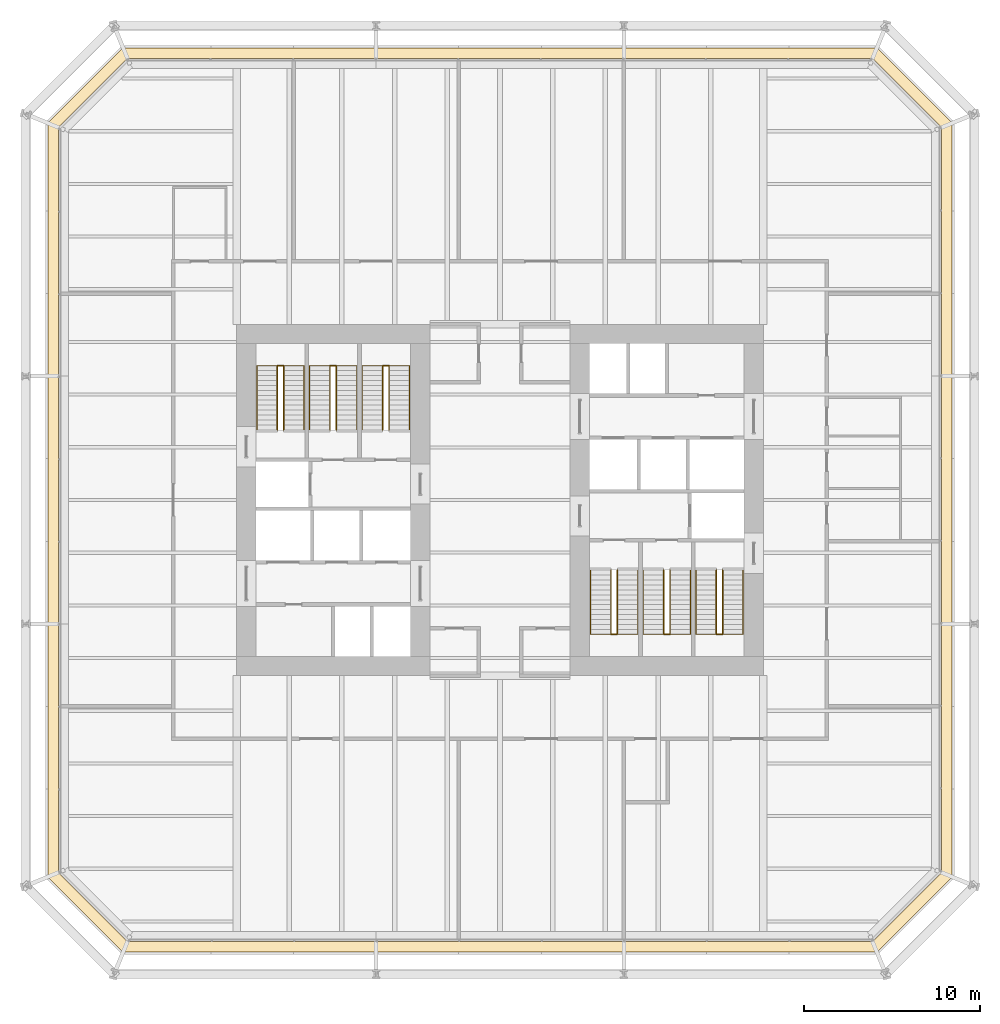
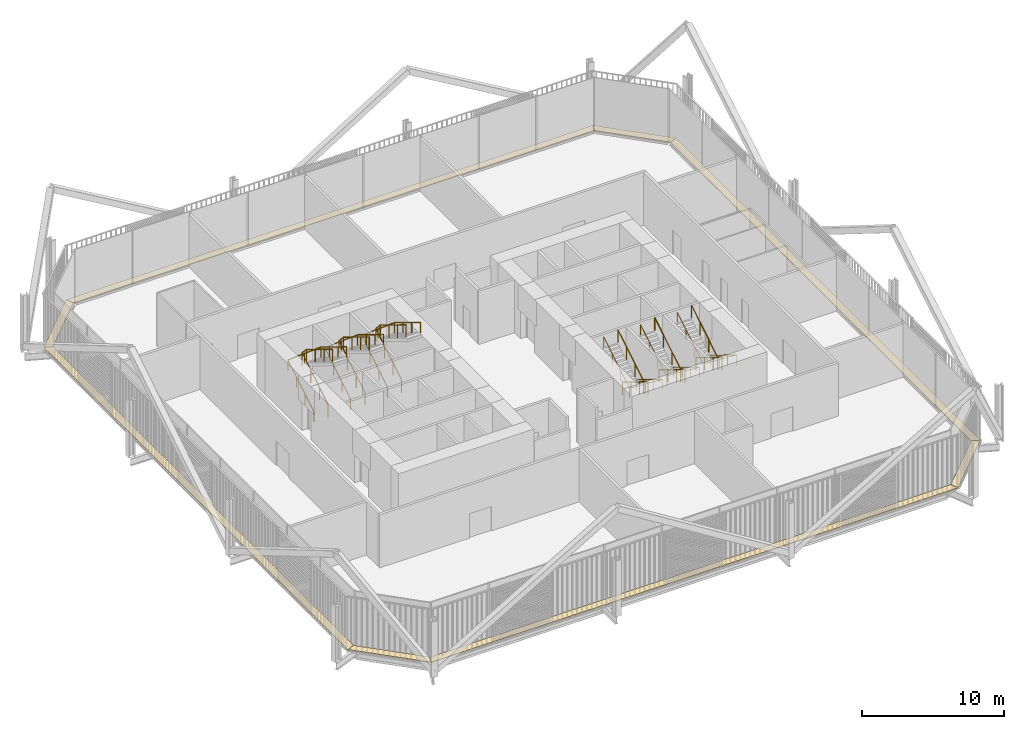
# One storey, part 22 of 22: 12 railings, 8 coverings.
"""IFC4 building model written with IfcOpenShell, lengths in metres."""

from ifc_helpers import new_model, si_unit, direction, frame, origin, origin_2d, place, context, subcontext, project, spatial, polyline, circle, outline, extrude, material, layer, layer_set, type_object, element, save


model = new_model("IFC4")

# Units and contexts
model_context = context("Model", 3, precision=1e-05, world=origin(), true_north=direction((0.0, 1.0)))
body_context = subcontext(model_context, "Body", "Model", "MODEL_VIEW")
ifc_project = project(units=[si_unit("LENGTHUNIT", "METRE"), si_unit("AREAUNIT", "SQUARE_METRE"), si_unit("VOLUMEUNIT", "CUBIC_METRE"), si_unit("PLANEANGLEUNIT", "RADIAN"), si_unit("MASSUNIT", "GRAM", prefix="KILO")], contexts=[model_context])

# Site, building, storey
site_placement = place(None, origin())
site = spatial("IfcSite", under=ifc_project, at=site_placement, CompositionType="ELEMENT")
building_placement = place(site_placement, origin())
building = spatial("IfcBuilding", under=site, at=building_placement, Name="Millrace Tower", CompositionType="ELEMENT")
storey_placement = place(building_placement, frame((0.0, 0.0, 44.89990234375)))
storey = spatial("IfcBuildingStorey", under=building, at=storey_placement, Name="L10", CompositionType="ELEMENT", Elevation=44.89990234375)

# Coverings
ifc_material_1 = material(Name="Steel ASTM A36", Category="steel")
ifc_layer = layer(ifc_material_1, 0.050048828125)
ifc_layer_set = layer_set([ifc_layer], Name="Steel ASTM A36")
covering_type = type_object("IfcCoveringType", Name="CAVITY CATWALK steel grating", PredefinedType="FLOORING", material=ifc_layer_set)
placement = place(storey_placement, frame((0.0, 0.0, 0.10009765625)))
element("IfcCovering", 1, at=placement, inside=storey, type_object=covering_type, Name="Cavity catwalk grating A-F01 L10 1", PredefinedType="FLOORING", context=body_context, shape_type="SweptSolid", body=[
    extrude(outline(polyline([(-25.75, -21.460693359375), (-21.460693359375, -25.75), (-21.212158203125, -25.14990234375), (-25.14990234375, -21.212158203125), (-25.75, -21.460693359375)])), origin(), (0.0, 0.0, 1.0), 0.050048828125),
])
element("IfcCovering", 2, at=placement, inside=storey, type_object=covering_type, Name="Cavity catwalk grating A-F02 L10 1", PredefinedType="FLOORING", context=body_context, shape_type="SweptSolid", body=[
    extrude(outline(polyline([(-21.460693359375, -25.75), (21.460693359375, -25.75), (21.212158203125, -25.14990234375), (-21.212158203125, -25.14990234375), (-21.460693359375, -25.75)])), origin(), (0.0, 0.0, 1.0), 0.050048828125),
])
element("IfcCovering", 3, at=placement, inside=storey, type_object=covering_type, Name="Cavity catwalk grating A-F03 L10 1", PredefinedType="FLOORING", context=body_context, shape_type="SweptSolid", body=[
    extrude(outline(polyline([(21.460693359375, -25.75), (25.75, -21.460693359375), (25.14990234375, -21.212158203125), (21.212158203125, -25.14990234375), (21.460693359375, -25.75)])), origin(), (0.0, 0.0, 1.0), 0.050048828125),
])
element("IfcCovering", 4, at=placement, inside=storey, type_object=covering_type, Name="Cavity catwalk grating A-F04 L10 1", PredefinedType="FLOORING", context=body_context, shape_type="SweptSolid", body=[
    extrude(outline(polyline([(25.75, -21.460693359375), (25.75, 21.460693359375), (25.14990234375, 21.212158203125), (25.14990234375, -21.212158203125), (25.75, -21.460693359375)])), origin(), (0.0, 0.0, 1.0), 0.050048828125),
])
element("IfcCovering", 5, at=placement, inside=storey, type_object=covering_type, Name="Cavity catwalk grating A-F05 L10 1", PredefinedType="FLOORING", context=body_context, shape_type="SweptSolid", body=[
    extrude(outline(polyline([(25.75, 21.460693359375), (21.460693359375, 25.75), (21.212158203125, 25.14990234375), (25.14990234375, 21.212158203125), (25.75, 21.460693359375)])), origin(), (0.0, 0.0, 1.0), 0.050048828125),
])
element("IfcCovering", 6, at=placement, inside=storey, type_object=covering_type, Name="Cavity catwalk grating A-F06 L10 1", PredefinedType="FLOORING", context=body_context, shape_type="SweptSolid", body=[
    extrude(outline(polyline([(21.460693359375, 25.75), (-21.460693359375, 25.75), (-21.212158203125, 25.14990234375), (21.212158203125, 25.14990234375), (21.460693359375, 25.75)])), origin(), (0.0, 0.0, 1.0), 0.050048828125),
])
element("IfcCovering", 7, at=placement, inside=storey, type_object=covering_type, Name="Cavity catwalk grating A-F07 L10 1", PredefinedType="FLOORING", context=body_context, shape_type="SweptSolid", body=[
    extrude(outline(polyline([(-21.460693359375, 25.75), (-25.75, 21.460693359375), (-25.14990234375, 21.212158203125), (-21.212158203125, 25.14990234375), (-21.460693359375, 25.75)])), origin(), (0.0, 0.0, 1.0), 0.050048828125),
])
element("IfcCovering", 8, at=placement, inside=storey, type_object=covering_type, Name="Cavity catwalk grating A-F08 L10 1", PredefinedType="FLOORING", context=body_context, shape_type="SweptSolid", body=[
    extrude(outline(polyline([(-25.75, 21.460693359375), (-25.75, -21.460693359375), (-25.14990234375, -21.212158203125), (-25.14990234375, 21.212158203125), (-25.75, 21.460693359375)])), origin(), (0.0, 0.0, 1.0), 0.050048828125),
])

# Railings
ifc_material_2 = material(Name="Stainless steel ASTM A240 type 316", Category="steel")
railing_type_1 = type_object("IfcRailingType", Name="Stair guard 1100", PredefinedType="GUARDRAIL", material=ifc_material_2)
for number, where, name in (
    (9, (-12.679931640625, 4.0, 0.17138671875), "Stair guard 1 W L10"),
    (10, (-9.679931640625, 4.0, 0.17138671875), "Stair guard 2 W L10"),
    (11, (-6.679931640625, 4.0, 0.17138671875), "Stair guard 3 W L10"),
):
    element("IfcRailing", number, at=place(storey_placement, frame(where)), inside=storey, type_object=railing_type_1, Name=name, PredefinedType="GUARDRAIL", context=body_context, shape_type="SweptSolid", body=[
        extrude(circle(Radius=0.02392578125, at=origin_2d()), frame((0.0, 0.0, 1.076171875), z_axis=(0.0, 0.852824790078, 0.522197163366), x_axis=(-1.0, 0.0, 0.0)), (0.0, 0.0, 1.0), 4.26806640625),
        extrude(circle(Radius=0.02392578125, at=origin_2d()), frame((0.0, 3.639892578125, 3.3046875), z_axis=(0.902837873996, 0.0, 0.429981131306), x_axis=(0.0, 1.0, 0.0)), (0.0, 0.0, 1.0), 0.398681640625),
        extrude(circle(Radius=0.02392578125, at=origin_2d()), frame((0.35986328125, 3.639892578125, 3.47607421875), z_axis=(0.0, -0.852850264322, 0.5221555579), x_axis=(1.0, 0.0, 0.0)), (0.0, 0.0, 1.0), 4.267822265625),
        extrude(circle(Radius=0.02099609375, at=origin_2d()), origin(), (0.0, 0.0, 1.0), 1.052001953125),
        extrude(circle(Radius=0.02099609375, at=origin_2d()), frame((0.0, 1.21337890625, 0.742919921875)), (0.0, 0.0, 1.0), 1.052001953125),
        extrude(circle(Radius=0.02099609375, at=origin_2d()), frame((0.0, 2.426513671875, 1.48583984375)), (0.0, 0.0, 1.0), 1.052001953125),
        extrude(circle(Radius=0.02099609375, at=origin_2d()), frame((0.0, 3.639892578125, 2.228759765625)), (0.0, 0.0, 1.0), 1.052001953125),
        extrude(circle(Radius=0.02099609375, at=origin_2d()), frame((0.35986328125, 3.639892578125, 2.400146484375)), (0.0, 0.0, 1.0), 1.052001953125),
        extrude(circle(Radius=0.02099609375, at=origin_2d()), frame((0.35986328125, 2.426513671875, 3.14306640625)), (0.0, 0.0, 1.0), 1.052001953125),
        extrude(circle(Radius=0.02099609375, at=origin_2d()), frame((0.35986328125, 1.21337890625, 3.8857421875)), (0.0, 0.0, 1.0), 1.052001953125),
        extrude(circle(Radius=0.02099609375, at=origin_2d()), frame((0.35986328125, 0.0, 4.628662109375)), (0.0, 0.0, 1.0), 1.052001953125),
    ])
for number, where, name in (
    (12, (12.679931640625, -4.0, 0.17138671875), "Stair guard 1 E L10"),
    (13, (9.679931640625, -4.0, 0.17138671875), "Stair guard 2 E L10"),
    (14, (6.679931640625, -4.0, 0.17138671875), "Stair guard 3 E L10"),
):
    element("IfcRailing", number, at=place(storey_placement, frame(where)), inside=storey, type_object=railing_type_1, Name=name, PredefinedType="GUARDRAIL", context=body_context, shape_type="SweptSolid", body=[
        extrude(circle(Radius=0.02392578125, at=origin_2d()), frame((0.0, 0.0, 1.076171875), z_axis=(0.0, -0.852824790078, 0.522197163366), x_axis=(1.0, 0.0, 0.0)), (0.0, 0.0, 1.0), 4.26806640625),
        extrude(circle(Radius=0.02392578125, at=origin_2d()), frame((0.0, -3.639892578125, 3.3046875), z_axis=(-0.902837873996, 0.0, 0.429981131306), x_axis=(0.0, -1.0, 0.0)), (0.0, 0.0, 1.0), 0.398681640625),
        extrude(circle(Radius=0.02392578125, at=origin_2d()), frame((-0.35986328125, -3.639892578125, 3.47607421875), z_axis=(0.0, 0.852850264322, 0.5221555579), x_axis=(-1.0, 0.0, 0.0)), (0.0, 0.0, 1.0), 4.267822265625),
        extrude(circle(Radius=0.02099609375, at=origin_2d()), origin(), (0.0, 0.0, 1.0), 1.052001953125),
        extrude(circle(Radius=0.02099609375, at=origin_2d()), frame((0.0, -1.21337890625, 0.742919921875)), (0.0, 0.0, 1.0), 1.052001953125),
        extrude(circle(Radius=0.02099609375, at=origin_2d()), frame((0.0, -2.426513671875, 1.48583984375)), (0.0, 0.0, 1.0), 1.052001953125),
        extrude(circle(Radius=0.02099609375, at=origin_2d()), frame((0.0, -3.639892578125, 2.228759765625)), (0.0, 0.0, 1.0), 1.052001953125),
        extrude(circle(Radius=0.02099609375, at=origin_2d()), frame((-0.35986328125, -3.639892578125, 2.400146484375)), (0.0, 0.0, 1.0), 1.052001953125),
        extrude(circle(Radius=0.02099609375, at=origin_2d()), frame((-0.35986328125, -2.426513671875, 3.14306640625)), (0.0, 0.0, 1.0), 1.052001953125),
        extrude(circle(Radius=0.02099609375, at=origin_2d()), frame((-0.35986328125, -1.21337890625, 3.8857421875)), (0.0, 0.0, 1.0), 1.052001953125),
        extrude(circle(Radius=0.02099609375, at=origin_2d()), frame((-0.35986328125, 0.0, 4.628662109375)), (0.0, 0.0, 1.0), 1.052001953125),
    ])
ifc_material_3 = material(Name="Stainless steel ASTM A240 type 316", Category="steel")
railing_type_2 = type_object("IfcRailingType", Name="Stair handrail 900", PredefinedType="HANDRAIL", material=ifc_material_3)
railing_1_placement = place(storey_placement, frame((-13.840087890625, 4.0, 0.17138671875)))
element("IfcRailing", 15, at=railing_1_placement, inside=storey, type_object=railing_type_2, Name="Stair handrail 1 W L10", PredefinedType="HANDRAIL", context=body_context, shape_type="SweptSolid", body=[
    extrude(circle(Radius=0.02392578125, at=origin_2d()), frame((0.0, 0.0, 0.8759765625), z_axis=(0.0, 0.852824790078, 0.522197163366), x_axis=(-1.0, 0.0, 0.0)), (0.0, 0.0, 1.0), 4.26806640625),
    extrude(circle(Radius=0.02392578125, at=origin_2d()), frame((0.0, 3.639892578125, 3.1044921875), z_axis=(0.9979616988, 0.0, 0.063815732607), x_axis=(0.0, 1.0, 0.0)), (0.0, 0.0, 1.0), 2.685546875),
    extrude(circle(Radius=0.02392578125, at=origin_2d()), frame((2.68017578125, 3.639892578125, 3.27587890625), z_axis=(0.0, -0.852850264322, 0.5221555579), x_axis=(1.0, 0.0, 0.0)), (0.0, 0.0, 1.0), 4.267822265625),
    extrude(circle(Radius=0.02099609375, at=origin_2d()), origin(), (0.0, 0.0, 1.0), 0.851806640625),
    extrude(circle(Radius=0.02099609375, at=origin_2d()), frame((0.0, 1.21337890625, 0.742919921875)), (0.0, 0.0, 1.0), 0.851806640625),
    extrude(circle(Radius=0.02099609375, at=origin_2d()), frame((0.0, 2.426513671875, 1.48583984375)), (0.0, 0.0, 1.0), 0.851806640625),
    extrude(circle(Radius=0.02099609375, at=origin_2d()), frame((0.0, 3.639892578125, 2.228759765625)), (0.0, 0.0, 1.0), 0.851806640625),
    extrude(circle(Radius=0.02099609375, at=origin_2d()), frame((1.340087890625, 3.639892578125, 2.314453125)), (0.0, 0.0, 1.0), 0.851806640625),
    extrude(circle(Radius=0.02099609375, at=origin_2d()), frame((2.68017578125, 3.639892578125, 2.400146484375)), (0.0, 0.0, 1.0), 0.851806640625),
    extrude(circle(Radius=0.02099609375, at=origin_2d()), frame((2.68017578125, 2.426513671875, 3.14306640625)), (0.0, 0.0, 1.0), 0.851806640625),
    extrude(circle(Radius=0.02099609375, at=origin_2d()), frame((2.68017578125, 1.21337890625, 3.8857421875)), (0.0, 0.0, 1.0), 0.851806640625),
    extrude(circle(Radius=0.02099609375, at=origin_2d()), frame((2.68017578125, 0.0, 4.628662109375)), (0.0, 0.0, 1.0), 0.851806640625),
])
railing_2_placement = place(storey_placement, frame((-10.840087890625, 4.0, 0.17138671875)))
element("IfcRailing", 16, at=railing_2_placement, inside=storey, type_object=railing_type_2, Name="Stair handrail 2 W L10", PredefinedType="HANDRAIL", context=body_context, shape_type="SweptSolid", body=[
    extrude(circle(Radius=0.02392578125, at=origin_2d()), frame((0.0, 0.0, 0.8759765625), z_axis=(0.0, 0.852824790078, 0.522197163366), x_axis=(-1.0, 0.0, 0.0)), (0.0, 0.0, 1.0), 4.26806640625),
    extrude(circle(Radius=0.02392578125, at=origin_2d()), frame((0.0, 3.639892578125, 3.1044921875), z_axis=(0.9979616988, 0.0, 0.063815732607), x_axis=(0.0, 1.0, 0.0)), (0.0, 0.0, 1.0), 2.685546875),
    extrude(circle(Radius=0.02392578125, at=origin_2d()), frame((2.68017578125, 3.639892578125, 3.27587890625), z_axis=(0.0, -0.852850264322, 0.5221555579), x_axis=(1.0, 0.0, 0.0)), (0.0, 0.0, 1.0), 4.267822265625),
    extrude(circle(Radius=0.02099609375, at=origin_2d()), origin(), (0.0, 0.0, 1.0), 0.851806640625),
    extrude(circle(Radius=0.02099609375, at=origin_2d()), frame((0.0, 1.21337890625, 0.742919921875)), (0.0, 0.0, 1.0), 0.851806640625),
    extrude(circle(Radius=0.02099609375, at=origin_2d()), frame((0.0, 2.426513671875, 1.48583984375)), (0.0, 0.0, 1.0), 0.851806640625),
    extrude(circle(Radius=0.02099609375, at=origin_2d()), frame((0.0, 3.639892578125, 2.228759765625)), (0.0, 0.0, 1.0), 0.851806640625),
    extrude(circle(Radius=0.02099609375, at=origin_2d()), frame((1.340087890625, 3.639892578125, 2.314453125)), (0.0, 0.0, 1.0), 0.851806640625),
    extrude(circle(Radius=0.02099609375, at=origin_2d()), frame((2.68017578125, 3.639892578125, 2.400146484375)), (0.0, 0.0, 1.0), 0.851806640625),
    extrude(circle(Radius=0.02099609375, at=origin_2d()), frame((2.68017578125, 2.426513671875, 3.14306640625)), (0.0, 0.0, 1.0), 0.851806640625),
    extrude(circle(Radius=0.02099609375, at=origin_2d()), frame((2.68017578125, 1.21337890625, 3.8857421875)), (0.0, 0.0, 1.0), 0.851806640625),
    extrude(circle(Radius=0.02099609375, at=origin_2d()), frame((2.68017578125, 0.0, 4.628662109375)), (0.0, 0.0, 1.0), 0.851806640625),
])
railing_3_placement = place(storey_placement, frame((-7.840087890625, 4.0, 0.17138671875)))
element("IfcRailing", 17, at=railing_3_placement, inside=storey, type_object=railing_type_2, Name="Stair handrail 3 W L10", PredefinedType="HANDRAIL", context=body_context, shape_type="SweptSolid", body=[
    extrude(circle(Radius=0.02392578125, at=origin_2d()), frame((0.0, 0.0, 0.8759765625), z_axis=(0.0, 0.852824790078, 0.522197163366), x_axis=(-1.0, 0.0, 0.0)), (0.0, 0.0, 1.0), 4.26806640625),
    extrude(circle(Radius=0.02392578125, at=origin_2d()), frame((0.0, 3.639892578125, 3.1044921875), z_axis=(0.9979616988, 0.0, 0.063815732607), x_axis=(0.0, 1.0, 0.0)), (0.0, 0.0, 1.0), 2.685546875),
    extrude(circle(Radius=0.02392578125, at=origin_2d()), frame((2.68017578125, 3.639892578125, 3.27587890625), z_axis=(0.0, -0.852850264322, 0.5221555579), x_axis=(1.0, 0.0, 0.0)), (0.0, 0.0, 1.0), 4.267822265625),
    extrude(circle(Radius=0.02099609375, at=origin_2d()), origin(), (0.0, 0.0, 1.0), 0.851806640625),
    extrude(circle(Radius=0.02099609375, at=origin_2d()), frame((0.0, 1.21337890625, 0.742919921875)), (0.0, 0.0, 1.0), 0.851806640625),
    extrude(circle(Radius=0.02099609375, at=origin_2d()), frame((0.0, 2.426513671875, 1.48583984375)), (0.0, 0.0, 1.0), 0.851806640625),
    extrude(circle(Radius=0.02099609375, at=origin_2d()), frame((0.0, 3.639892578125, 2.228759765625)), (0.0, 0.0, 1.0), 0.851806640625),
    extrude(circle(Radius=0.02099609375, at=origin_2d()), frame((1.340087890625, 3.639892578125, 2.314453125)), (0.0, 0.0, 1.0), 0.851806640625),
    extrude(circle(Radius=0.02099609375, at=origin_2d()), frame((2.68017578125, 3.639892578125, 2.400146484375)), (0.0, 0.0, 1.0), 0.851806640625),
    extrude(circle(Radius=0.02099609375, at=origin_2d()), frame((2.68017578125, 2.426513671875, 3.14306640625)), (0.0, 0.0, 1.0), 0.851806640625),
    extrude(circle(Radius=0.02099609375, at=origin_2d()), frame((2.68017578125, 1.21337890625, 3.8857421875)), (0.0, 0.0, 1.0), 0.851806640625),
    extrude(circle(Radius=0.02099609375, at=origin_2d()), frame((2.68017578125, 0.0, 4.628662109375)), (0.0, 0.0, 1.0), 0.851806640625),
])
railing_4_placement = place(storey_placement, frame((13.840087890625, -4.0, 0.17138671875)))
element("IfcRailing", 18, at=railing_4_placement, inside=storey, type_object=railing_type_2, Name="Stair handrail 1 E L10", PredefinedType="HANDRAIL", context=body_context, shape_type="SweptSolid", body=[
    extrude(circle(Radius=0.02392578125, at=origin_2d()), frame((0.0, 0.0, 0.8759765625), z_axis=(0.0, -0.852824790078, 0.522197163366), x_axis=(1.0, 0.0, 0.0)), (0.0, 0.0, 1.0), 4.26806640625),
    extrude(circle(Radius=0.02392578125, at=origin_2d()), frame((0.0, -3.639892578125, 3.1044921875), z_axis=(-0.9979616988, 0.0, 0.063815732607), x_axis=(0.0, -1.0, 0.0)), (0.0, 0.0, 1.0), 2.685546875),
    extrude(circle(Radius=0.02392578125, at=origin_2d()), frame((-2.68017578125, -3.639892578125, 3.27587890625), z_axis=(0.0, 0.852850264322, 0.5221555579), x_axis=(-1.0, 0.0, 0.0)), (0.0, 0.0, 1.0), 4.267822265625),
    extrude(circle(Radius=0.02099609375, at=origin_2d()), origin(), (0.0, 0.0, 1.0), 0.851806640625),
    extrude(circle(Radius=0.02099609375, at=origin_2d()), frame((0.0, -1.21337890625, 0.742919921875)), (0.0, 0.0, 1.0), 0.851806640625),
    extrude(circle(Radius=0.02099609375, at=origin_2d()), frame((0.0, -2.426513671875, 1.48583984375)), (0.0, 0.0, 1.0), 0.851806640625),
    extrude(circle(Radius=0.02099609375, at=origin_2d()), frame((0.0, -3.639892578125, 2.228759765625)), (0.0, 0.0, 1.0), 0.851806640625),
    extrude(circle(Radius=0.02099609375, at=origin_2d()), frame((-1.340087890625, -3.639892578125, 2.314453125)), (0.0, 0.0, 1.0), 0.851806640625),
    extrude(circle(Radius=0.02099609375, at=origin_2d()), frame((-2.68017578125, -3.639892578125, 2.400146484375)), (0.0, 0.0, 1.0), 0.851806640625),
    extrude(circle(Radius=0.02099609375, at=origin_2d()), frame((-2.68017578125, -2.426513671875, 3.14306640625)), (0.0, 0.0, 1.0), 0.851806640625),
    extrude(circle(Radius=0.02099609375, at=origin_2d()), frame((-2.68017578125, -1.21337890625, 3.8857421875)), (0.0, 0.0, 1.0), 0.851806640625),
    extrude(circle(Radius=0.02099609375, at=origin_2d()), frame((-2.68017578125, 0.0, 4.628662109375)), (0.0, 0.0, 1.0), 0.851806640625),
])
railing_5_placement = place(storey_placement, frame((10.840087890625, -4.0, 0.17138671875)))
element("IfcRailing", 19, at=railing_5_placement, inside=storey, type_object=railing_type_2, Name="Stair handrail 2 E L10", PredefinedType="HANDRAIL", context=body_context, shape_type="SweptSolid", body=[
    extrude(circle(Radius=0.02392578125, at=origin_2d()), frame((0.0, 0.0, 0.8759765625), z_axis=(0.0, -0.852824790078, 0.522197163366), x_axis=(1.0, 0.0, 0.0)), (0.0, 0.0, 1.0), 4.26806640625),
    extrude(circle(Radius=0.02392578125, at=origin_2d()), frame((0.0, -3.639892578125, 3.1044921875), z_axis=(-0.9979616988, 0.0, 0.063815732607), x_axis=(0.0, -1.0, 0.0)), (0.0, 0.0, 1.0), 2.685546875),
    extrude(circle(Radius=0.02392578125, at=origin_2d()), frame((-2.68017578125, -3.639892578125, 3.27587890625), z_axis=(0.0, 0.852850264322, 0.5221555579), x_axis=(-1.0, 0.0, 0.0)), (0.0, 0.0, 1.0), 4.267822265625),
    extrude(circle(Radius=0.02099609375, at=origin_2d()), origin(), (0.0, 0.0, 1.0), 0.851806640625),
    extrude(circle(Radius=0.02099609375, at=origin_2d()), frame((0.0, -1.21337890625, 0.742919921875)), (0.0, 0.0, 1.0), 0.851806640625),
    extrude(circle(Radius=0.02099609375, at=origin_2d()), frame((0.0, -2.426513671875, 1.48583984375)), (0.0, 0.0, 1.0), 0.851806640625),
    extrude(circle(Radius=0.02099609375, at=origin_2d()), frame((0.0, -3.639892578125, 2.228759765625)), (0.0, 0.0, 1.0), 0.851806640625),
    extrude(circle(Radius=0.02099609375, at=origin_2d()), frame((-1.340087890625, -3.639892578125, 2.314453125)), (0.0, 0.0, 1.0), 0.851806640625),
    extrude(circle(Radius=0.02099609375, at=origin_2d()), frame((-2.68017578125, -3.639892578125, 2.400146484375)), (0.0, 0.0, 1.0), 0.851806640625),
    extrude(circle(Radius=0.02099609375, at=origin_2d()), frame((-2.68017578125, -2.426513671875, 3.14306640625)), (0.0, 0.0, 1.0), 0.851806640625),
    extrude(circle(Radius=0.02099609375, at=origin_2d()), frame((-2.68017578125, -1.21337890625, 3.8857421875)), (0.0, 0.0, 1.0), 0.851806640625),
    extrude(circle(Radius=0.02099609375, at=origin_2d()), frame((-2.68017578125, 0.0, 4.628662109375)), (0.0, 0.0, 1.0), 0.851806640625),
])
railing_6_placement = place(storey_placement, frame((7.840087890625, -4.0, 0.17138671875)))
element("IfcRailing", 20, at=railing_6_placement, inside=storey, type_object=railing_type_2, Name="Stair handrail 3 E L10", PredefinedType="HANDRAIL", context=body_context, shape_type="SweptSolid", body=[
    extrude(circle(Radius=0.02392578125, at=origin_2d()), frame((0.0, 0.0, 0.8759765625), z_axis=(0.0, -0.852824790078, 0.522197163366), x_axis=(1.0, 0.0, 0.0)), (0.0, 0.0, 1.0), 4.26806640625),
    extrude(circle(Radius=0.02392578125, at=origin_2d()), frame((0.0, -3.639892578125, 3.1044921875), z_axis=(-0.9979616988, 0.0, 0.063815732607), x_axis=(0.0, -1.0, 0.0)), (0.0, 0.0, 1.0), 2.685546875),
    extrude(circle(Radius=0.02392578125, at=origin_2d()), frame((-2.68017578125, -3.639892578125, 3.27587890625), z_axis=(0.0, 0.852850264322, 0.5221555579), x_axis=(-1.0, 0.0, 0.0)), (0.0, 0.0, 1.0), 4.267822265625),
    extrude(circle(Radius=0.02099609375, at=origin_2d()), origin(), (0.0, 0.0, 1.0), 0.851806640625),
    extrude(circle(Radius=0.02099609375, at=origin_2d()), frame((0.0, -1.21337890625, 0.742919921875)), (0.0, 0.0, 1.0), 0.851806640625),
    extrude(circle(Radius=0.02099609375, at=origin_2d()), frame((0.0, -2.426513671875, 1.48583984375)), (0.0, 0.0, 1.0), 0.851806640625),
    extrude(circle(Radius=0.02099609375, at=origin_2d()), frame((0.0, -3.639892578125, 2.228759765625)), (0.0, 0.0, 1.0), 0.851806640625),
    extrude(circle(Radius=0.02099609375, at=origin_2d()), frame((-1.340087890625, -3.639892578125, 2.314453125)), (0.0, 0.0, 1.0), 0.851806640625),
    extrude(circle(Radius=0.02099609375, at=origin_2d()), frame((-2.68017578125, -3.639892578125, 2.400146484375)), (0.0, 0.0, 1.0), 0.851806640625),
    extrude(circle(Radius=0.02099609375, at=origin_2d()), frame((-2.68017578125, -2.426513671875, 3.14306640625)), (0.0, 0.0, 1.0), 0.851806640625),
    extrude(circle(Radius=0.02099609375, at=origin_2d()), frame((-2.68017578125, -1.21337890625, 3.8857421875)), (0.0, 0.0, 1.0), 0.851806640625),
    extrude(circle(Radius=0.02099609375, at=origin_2d()), frame((-2.68017578125, 0.0, 4.628662109375)), (0.0, 0.0, 1.0), 0.851806640625),
])

save(model, "model.ifc")
